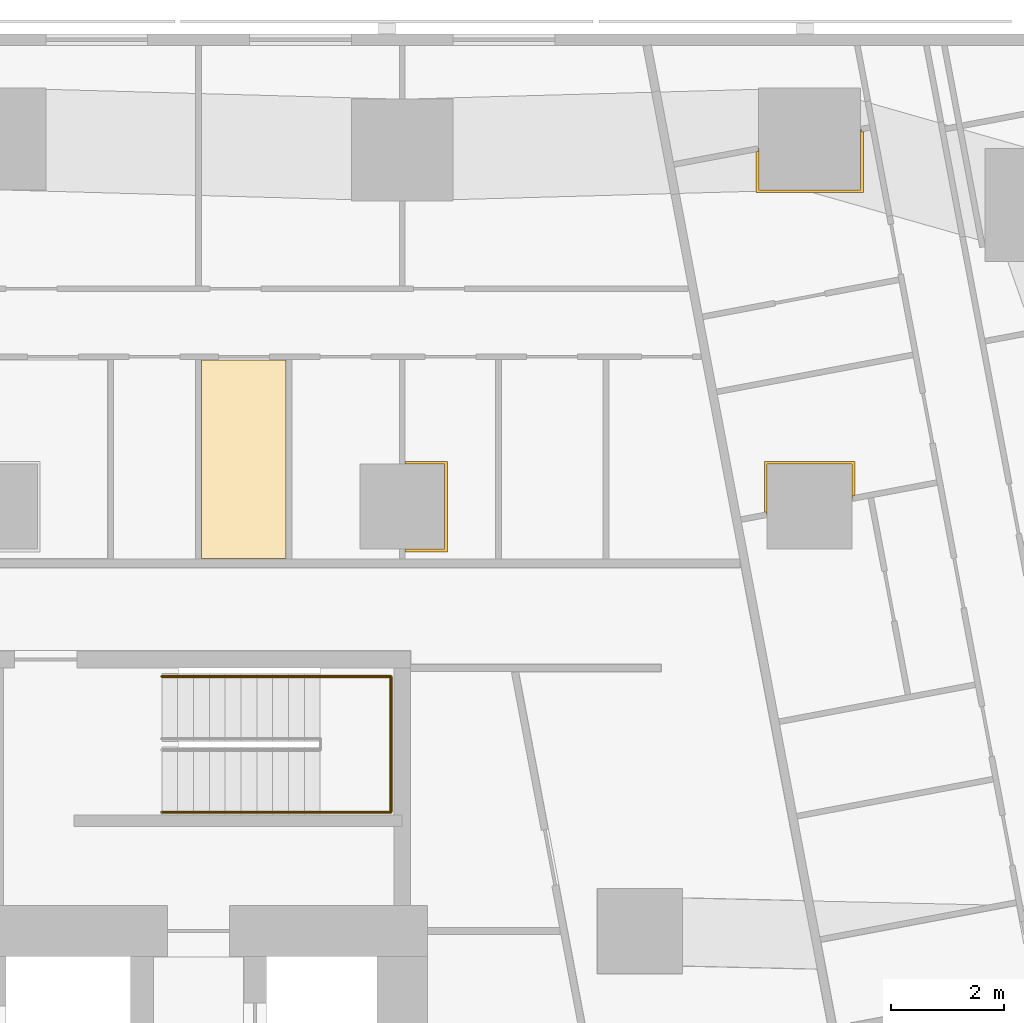
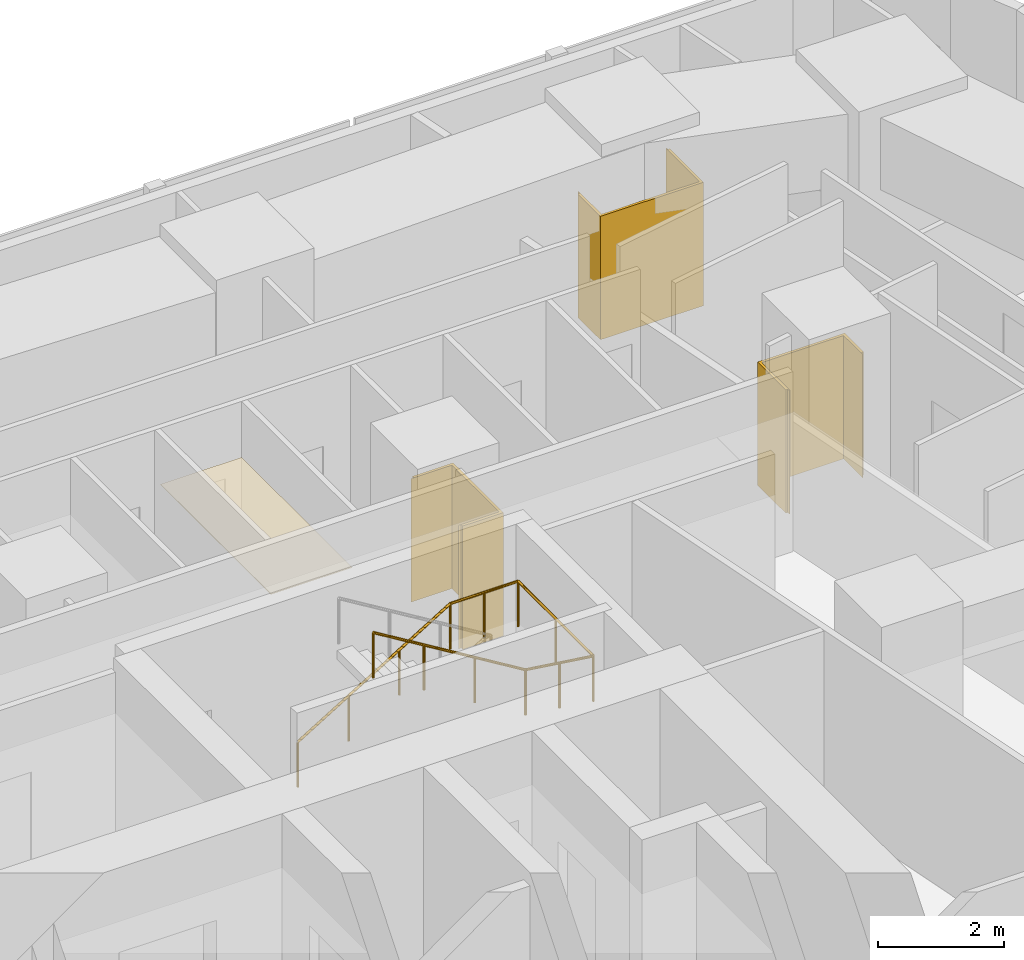
# One storey, part 15 of 15: 4 coverings, 1 railing.
"""IFC4 building model written with IfcOpenShell, lengths in metres."""

from ifc_helpers import new_model, si_unit, direction, frame, origin, origin_2d, place, context, subcontext, project, spatial, polyline, circle, outline, extrude, material, layer, layer_set, type_object, element, save


model = new_model("IFC4")

# Units and contexts
model_context = context("Model", 3, precision=1e-05, world=origin(), true_north=direction((0.0, 1.0)))
body_context = subcontext(model_context, "Body", "Model", "MODEL_VIEW")
ifc_project = project(units=[si_unit("LENGTHUNIT", "METRE"), si_unit("AREAUNIT", "SQUARE_METRE"), si_unit("VOLUMEUNIT", "CUBIC_METRE"), si_unit("PLANEANGLEUNIT", "RADIAN"), si_unit("MASSUNIT", "GRAM", prefix="KILO")], contexts=[model_context])

# Site, building, storey
site_placement = place(None, origin())
site = spatial("IfcSite", under=ifc_project, at=site_placement, CompositionType="ELEMENT")
building_placement = place(site_placement, origin())
building = spatial("IfcBuilding", under=site, at=building_placement, Name="Sheger Commons Tower", CompositionType="ELEMENT")
storey_placement = place(building_placement, frame((0.0, 0.0, 143.300048828125)))
storey = spatial("IfcBuildingStorey", under=building, at=storey_placement, Name="L36", CompositionType="ELEMENT", Elevation=143.300048828125)

# Railing
ifc_material_1 = material(Name="Steel handrail, black powder-coated", Category="steel")
railing_type = type_object("IfcRailingType", Name="HANDRAIL 900", PredefinedType="HANDRAIL", material=ifc_material_1)
railing_placement = place(storey_placement, frame((24.550048828125, 34.5, 0.17041015625)))
element("IfcRailing", 1, at=railing_placement, inside=storey, type_object=railing_type, Name="Stair S2 handrail L36", PredefinedType="HANDRAIL", context=body_context, shape_type="SweptSolid", body=[
    extrude(circle(Radius=0.02392578125, at=origin_2d()), frame((0.0, 0.0, 0.8759765625), z_axis=(0.854169791009, 0.0, 0.51999420009), x_axis=(0.0, 1.0, 0.0)), (0.0, 0.0, 1.0), 3.278076171875),
    extrude(circle(Radius=0.02392578125, at=origin_2d()), frame((2.800048828125, 0.0, 2.58056640625), z_axis=(1.0, 0.0, 0.0), x_axis=(0.0, 1.0, 0.0)), (0.0, 0.0, 1.0), 1.25),
    extrude(circle(Radius=0.02392578125, at=origin_2d()), frame((4.050048828125, 0.0, 2.58056640625), z_axis=(0.0, -1.0, 0.0), x_axis=(1.0, 0.0, 0.0)), (0.0, 0.0, 1.0), 2.39990234375),
    extrude(circle(Radius=0.02392578125, at=origin_2d()), frame((4.050048828125, -2.39990234375, 2.58056640625), z_axis=(-0.990834877927, 0.0, 0.135078661092), x_axis=(0.0, -1.0, 0.0)), (0.0, 0.0, 1.0), 1.261474609375),
    extrude(circle(Radius=0.02392578125, at=origin_2d()), frame((2.800048828125, -2.39990234375, 2.7509765625), z_axis=(-0.854169791009, 0.0, 0.51999420009), x_axis=(0.0, -1.0, 0.0)), (0.0, 0.0, 1.0), 3.278076171875),
    extrude(circle(Radius=0.02099609375, at=origin_2d()), origin(), (0.0, 0.0, 1.0), 0.851806640625),
    extrude(circle(Radius=0.02099609375, at=origin_2d()), frame((0.933349609375, 0.0, 0.568115234375)), (0.0, 0.0, 1.0), 0.851806640625),
    extrude(circle(Radius=0.02099609375, at=origin_2d()), frame((1.86669921875, 0.0, 1.136474609375)), (0.0, 0.0, 1.0), 0.851806640625),
    extrude(circle(Radius=0.02099609375, at=origin_2d()), frame((2.800048828125, 0.0, 1.70458984375)), (0.0, 0.0, 1.0), 0.851806640625),
    extrude(circle(Radius=0.02099609375, at=origin_2d()), frame((3.425048828125, 0.0, 1.70458984375)), (0.0, 0.0, 1.0), 0.851806640625),
    extrude(circle(Radius=0.02099609375, at=origin_2d()), frame((4.050048828125, 0.0, 1.70458984375)), (0.0, 0.0, 1.0), 0.851806640625),
    extrude(circle(Radius=0.02099609375, at=origin_2d()), frame((4.050048828125, -1.199951171875, 1.70458984375)), (0.0, 0.0, 1.0), 0.851806640625),
    extrude(circle(Radius=0.02099609375, at=origin_2d()), frame((4.050048828125, -2.39990234375, 1.70458984375)), (0.0, 0.0, 1.0), 0.851806640625),
    extrude(circle(Radius=0.02099609375, at=origin_2d()), frame((3.425048828125, -2.39990234375, 1.789794921875)), (0.0, 0.0, 1.0), 0.851806640625),
    extrude(circle(Radius=0.02099609375, at=origin_2d()), frame((2.800048828125, -2.39990234375, 1.875)), (0.0, 0.0, 1.0), 0.851806640625),
    extrude(circle(Radius=0.02099609375, at=origin_2d()), frame((1.86669921875, -2.39990234375, 2.443115234375)), (0.0, 0.0, 1.0), 0.851806640625),
    extrude(circle(Radius=0.02099609375, at=origin_2d()), frame((0.933349609375, -2.39990234375, 3.011474609375)), (0.0, 0.0, 1.0), 0.851806640625),
    extrude(circle(Radius=0.02099609375, at=origin_2d()), frame((0.0, -2.39990234375, 3.57958984375)), (0.0, 0.0, 1.0), 0.851806640625),
])

# Coverings
ifc_material_2 = material(Name="Moisture-resistant gypsum plasterboard 15 mm on a suspended galvanised steel grid", Category="steel")
ifc_layer_1 = layer(ifc_material_2, 0.014892578125)
ifc_layer_set_1 = layer_set([ifc_layer_1], Name="MOISTURE-RESISTANT CEILING 15")
covering_type_1 = type_object("IfcCoveringType", Name="MOISTURE-RESISTANT CEILING 15", PredefinedType="CEILING", material=ifc_layer_set_1)
covering_1_placement = place(storey_placement, frame((0.0, 0.0, 2.39990234375)))
element("IfcCovering", 2, at=covering_1_placement, inside=storey, type_object=covering_type_1, Name="L36-12.B2 ceiling", PredefinedType="CEILING", context=body_context, shape_type="SweptSolid", body=[
    extrude(outline(polyline([(25.2548828125, 36.580078125), (26.7451171875, 36.580078125), (26.7451171875, 40.094970703125), (25.2548828125, 40.094970703125), (25.2548828125, 36.580078125)])), origin(), (0.0, 0.0, 1.0), 0.01513671875),
])
ifc_material_3 = material(Name="Moisture-resistant gypsum board 12.5 mm on 25 mm treated timber battens, tanked and tiled", Category="wood")
ifc_layer_2 = layer(ifc_material_3, 0.050048828125)
ifc_layer_set_2 = layer_set([ifc_layer_2], Name="WET-ROOM COLUMN LINING")
covering_type_2 = type_object("IfcCoveringType", Name="WET-ROOM COLUMN LINING", PredefinedType="CLADDING", material=ifc_layer_set_2)
covering_2_placement = place(storey_placement, origin())
element("IfcCovering", 3, at=covering_2_placement, inside=storey, type_object=covering_type_2, Name="Laundry room column lining C10 L36", PredefinedType="CLADDING", context=body_context, shape_type="SweptSolid", body=[
    extrude(outline(polyline([(29.60009765625, 36.699951171875), (28.85009765625, 36.699951171875), (28.85009765625, 36.7490234375), (28.800048828125, 36.7490234375), (28.800048828125, 36.75), (29.550048828125, 36.75), (29.550048828125, 38.25), (28.800048828125, 38.25), (28.800048828125, 38.2509765625), (28.85009765625, 38.2509765625), (28.85009765625, 38.300048828125), (29.60009765625, 38.300048828125), (29.60009765625, 36.699951171875)])), origin(), (0.0, 0.0, 1.0), 2.39990234375),
])
covering_3_placement = place(storey_placement, origin())
element("IfcCovering", 4, at=covering_3_placement, inside=storey, type_object=covering_type_2, Name="Store and laundry column lining C10 L36", PredefinedType="CLADDING", context=body_context, shape_type="SweptSolid", body=[
    extrude(outline(polyline([(36.800048828125, 38.300048828125), (36.800048828125, 37.701904296875), (36.7509765625, 37.693115234375), (36.760009765625, 37.64404296875), (36.75, 37.64208984375), (36.75, 38.25), (35.25, 38.25), (35.25, 37.35888671875), (35.239990234375, 37.35693359375), (35.23095703125, 37.406005859375), (35.199951171875, 37.39990234375), (35.199951171875, 38.300048828125), (36.800048828125, 38.300048828125)])), origin(), (0.0, 0.0, 1.0), 2.39990234375),
])
covering_4_placement = place(storey_placement, origin())
element("IfcCovering", 5, at=covering_4_placement, inside=storey, type_object=covering_type_2, Name="Store and laundry column lining C8 L36", PredefinedType="CLADDING", context=body_context, shape_type="SweptSolid", body=[
    extrude(outline(polyline([(35.10009765625, 43.830078125), (35.10009765625, 43.10009765625), (36.89990234375, 43.10009765625), (36.89990234375, 44.1708984375), (36.909912109375, 44.173095703125), (36.9189453125, 44.123046875), (36.949951171875, 44.12890625), (36.949951171875, 43.050048828125), (35.050048828125, 43.050048828125), (35.050048828125, 43.77001953125), (35.09912109375, 43.779052734375), (35.090087890625, 43.827880859375), (35.10009765625, 43.830078125)])), origin(), (0.0, 0.0, 1.0), 2.39990234375),
])

save(model, "model.ifc")
